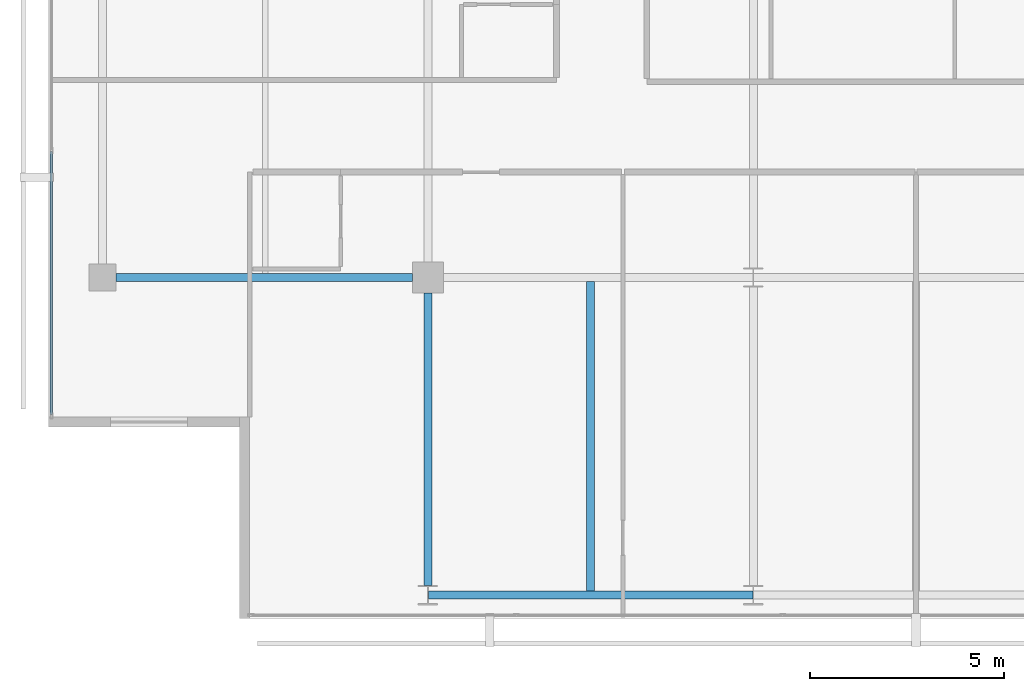
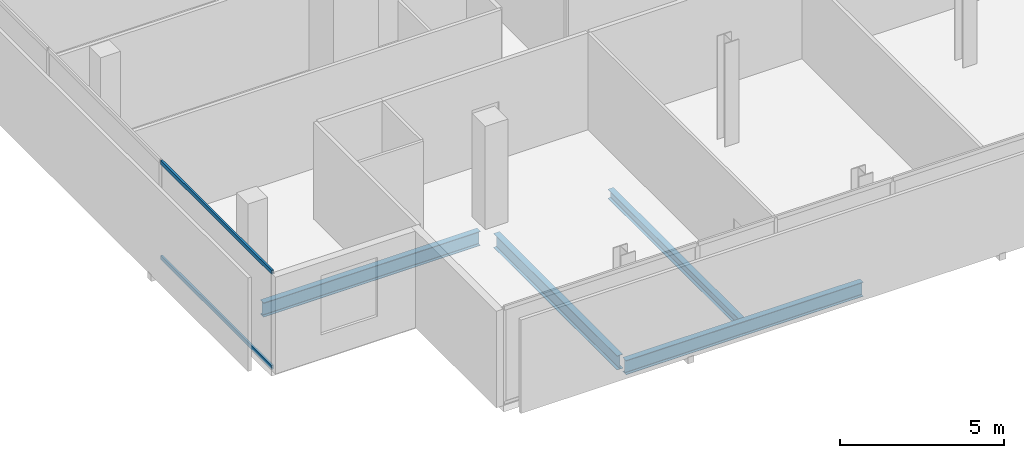
# One storey, part 3 of 25: 4 beams, 2 members, 1 element without a shape of its own.
"""IFC4 building model written with IfcOpenShell, lengths in metres."""

from ifc_helpers import new_model, si_unit, direction, frame, origin, origin_2d, place, context, subcontext, project, spatial, hollow_rectangle, i_section, extrude, material, layer, layer_set, material_profile, profile_set, type_object, element, aggregate, save


model = new_model("IFC4")

# Units and contexts
model_context = context("Model", 3, precision=1e-05, world=origin(), true_north=direction((0.0, 1.0)))
body_context = subcontext(model_context, "Body", "Model", "MODEL_VIEW")
ifc_project = project(units=[si_unit("LENGTHUNIT", "METRE"), si_unit("AREAUNIT", "SQUARE_METRE"), si_unit("VOLUMEUNIT", "CUBIC_METRE"), si_unit("PLANEANGLEUNIT", "RADIAN"), si_unit("MASSUNIT", "GRAM", prefix="KILO")], contexts=[model_context])

# Site, building, storey
site_placement = place(None, origin())
site = spatial("IfcSite", under=ifc_project, at=site_placement, CompositionType="ELEMENT")
building_placement = place(site_placement, origin())
building = spatial("IfcBuilding", under=site, at=building_placement, Name="Maruvema Waterfront Hotel and Observation Tower", CompositionType="ELEMENT")
storey_placement = place(building_placement, frame((0.0, 0.0, 274.050048828125)))
storey = spatial("IfcBuildingStorey", under=building, at=storey_placement, Name="L67", CompositionType="ELEMENT", Elevation=274.050048828125)

# Curtain wall, members
ifc_material_1 = material(Name="Anodised bronze aluminium and solar-control low-E IGU", Category="aluminium")
ifc_layer = layer(ifc_material_1, 0.159912109375, Name="Zone 3 Champagne Inner Thermal Curtain Wall System CW-04")
ifc_layer_set = layer_set([ifc_layer], Name="Anodised bronze aluminium and solar-control low-E IGU")
curtain_wall_type = type_object("IfcCurtainWallType", Name="Zone 3 Champagne Inner Thermal Curtain Wall System CW-04", PredefinedType="USERDEFINED", material=ifc_layer_set)
curtain_wall_placement = place(storey_placement, origin())
curtain_wall = element("IfcCurtainWall", 1, at=curtain_wall_placement, inside=storey, type_object=curtain_wall_type, Name="L67 Curtain Wall CW-L67-W", ObjectType="UNITISED CURTAIN WALL", PredefinedType="USERDEFINED")
ifc_material_2 = material(Name="Anodised architectural bronze aluminium", Category="aluminium")
ifc_material_profile_1 = material_profile(ifc_material_2, hollow_rectangle(XDim=0.070068359375, YDim=0.14990234375, WallThickness=0.00390625, at=origin_2d()), Name="ALU-T70x150")
ifc_profile_set_1 = profile_set([ifc_material_profile_1], Name="Anodised architectural bronze aluminium")
member_type = type_object("IfcMemberType", Name="Curtain Wall Horizontal Transom ALU-T70x150", PredefinedType="USERDEFINED", material=ifc_profile_set_1)
member_1_placement = place(storey_placement, frame((15.47998046875, 21.25, 0.030029296875), z_axis=(0.0, -1.0, 0.0), x_axis=(1.0, 0.0, 0.0)))
member_1 = element("IfcMember", 2, at=member_1_placement, type_object=member_type, Name="CW-04 transom 5.1", ObjectType="TRANSOM", PredefinedType="USERDEFINED", context=body_context, shape_type="SweptSolid", body=[
    extrude(hollow_rectangle(XDim=0.070068359375, YDim=0.14990234375, WallThickness=0.00390625, at=origin_2d()), origin(), (0.0, 0.0, 1.0), 6.7900390625),
])
member_2_placement = place(storey_placement, frame((15.47998046875, 21.25, 3.579833984375), z_axis=(0.0, -1.0, 0.0), x_axis=(1.0, 0.0, 0.0)))
member_2 = element("IfcMember", 3, at=member_2_placement, type_object=member_type, Name="CW-04 transom 5.2", ObjectType="TRANSOM", PredefinedType="USERDEFINED", context=body_context, shape_type="SweptSolid", body=[
    extrude(hollow_rectangle(XDim=0.070068359375, YDim=0.14990234375, WallThickness=0.00390625, at=origin_2d()), origin(), (0.0, 0.0, 1.0), 6.7900390625),
])
aggregate(curtain_wall, [member_1, member_2])

# Beams
ifc_material_3 = material(Name="Steel ASTM A572 Grade 50", Category="steel")
ifc_material_profile_2 = material_profile(ifc_material_3, i_section(OverallWidth=0.208984375, OverallDepth=0.532958984375, WebThickness=0.01025390625, FlangeThickness=0.015625, FilletRadius=0.014892578125, at=origin_2d()), Name="W530x92.0")
ifc_profile_set_2 = profile_set([ifc_material_profile_2], Name="Steel ASTM A572 Grade 50")
beam_type_1 = type_object("IfcBeamType", Name="Primary Floor Girder W530x92.0", PredefinedType="BEAM", material=ifc_profile_set_2)
beam_1_placement = place(storey_placement, frame((25.2109375, 9.800048828125, -0.506591796875), z_axis=(1.0, 0.0, 0.0), x_axis=(0.0, 1.0, 0.0)))
element("IfcBeam", 4, at=beam_1_placement, inside=storey, type_object=beam_type_1, Name="L67 Floor Girder EW-01", PredefinedType="BEAM", context=body_context, shape_type="SweptSolid", body=[
    extrude(i_section(OverallWidth=0.208984375, OverallDepth=0.532958984375, WebThickness=0.01025390625, FlangeThickness=0.015625, FilletRadius=0.014892578125, at=origin_2d()), origin(), (0.0, 0.0, 1.0), 8.378173828125),
])
beam_2_placement = place(storey_placement, frame((17.14990234375, 18.0, -0.506591796875), z_axis=(1.0, 0.0, 0.0), x_axis=(0.0, 1.0, 0.0)))
element("IfcBeam", 5, at=beam_2_placement, inside=storey, type_object=beam_type_1, Name="L67 Floor Girder EW-04", PredefinedType="BEAM", context=body_context, shape_type="SweptSolid", body=[
    extrude(i_section(OverallWidth=0.208984375, OverallDepth=0.532958984375, WebThickness=0.01025390625, FlangeThickness=0.015625, FilletRadius=0.014892578125, at=origin_2d()), origin(), (0.0, 0.0, 1.0), 7.650146484375),
])
beam_3_placement = place(storey_placement, frame((25.199951171875, 10.050048828125, -0.506591796875), z_axis=(0.0, 1.0, 0.0), x_axis=(-1.0, 0.0, 0.0)))
element("IfcBeam", 6, at=beam_3_placement, inside=storey, type_object=beam_type_1, Name="L67 Floor Girder NS-04", PredefinedType="BEAM", context=body_context, shape_type="SweptSolid", body=[
    extrude(i_section(OverallWidth=0.208984375, OverallDepth=0.532958984375, WebThickness=0.01025390625, FlangeThickness=0.015625, FilletRadius=0.014892578125, at=origin_2d()), origin(), (0.0, 0.0, 1.0), 7.550048828125),
])
ifc_material_4 = material(Name="Steel ASTM A572 Grade 50", Category="steel")
ifc_material_profile_3 = material_profile(ifc_material_4, i_section(OverallWidth=0.202880859375, OverallDepth=0.346923828125, WebThickness=0.0078125, FlangeThickness=0.013427734375, FilletRadius=0.014892578125, at=origin_2d()), Name="W360x64.0")
ifc_profile_set_3 = profile_set([ifc_material_profile_3], Name="Steel ASTM A572 Grade 50")
beam_type_2 = type_object("IfcBeamType", Name="Secondary Floor Joist W360x64.0", PredefinedType="JOIST", material=ifc_profile_set_3)
beam_4_placement = place(storey_placement, frame((29.39990234375, 9.904541015625, -0.41357421875), z_axis=(0.0, 1.0, 0.0), x_axis=(-1.0, 0.0, 0.0)))
element("IfcBeam", 7, at=beam_4_placement, inside=storey, type_object=beam_type_2, Name="L67 Secondary Floor Joist JS-04", PredefinedType="JOIST", context=body_context, shape_type="SweptSolid", body=[
    extrude(i_section(OverallWidth=0.202880859375, OverallDepth=0.346923828125, WebThickness=0.0078125, FlangeThickness=0.013427734375, FilletRadius=0.014892578125, at=origin_2d()), origin(), (0.0, 0.0, 1.0), 7.990966796875),
])

save(model, "model.ifc")
